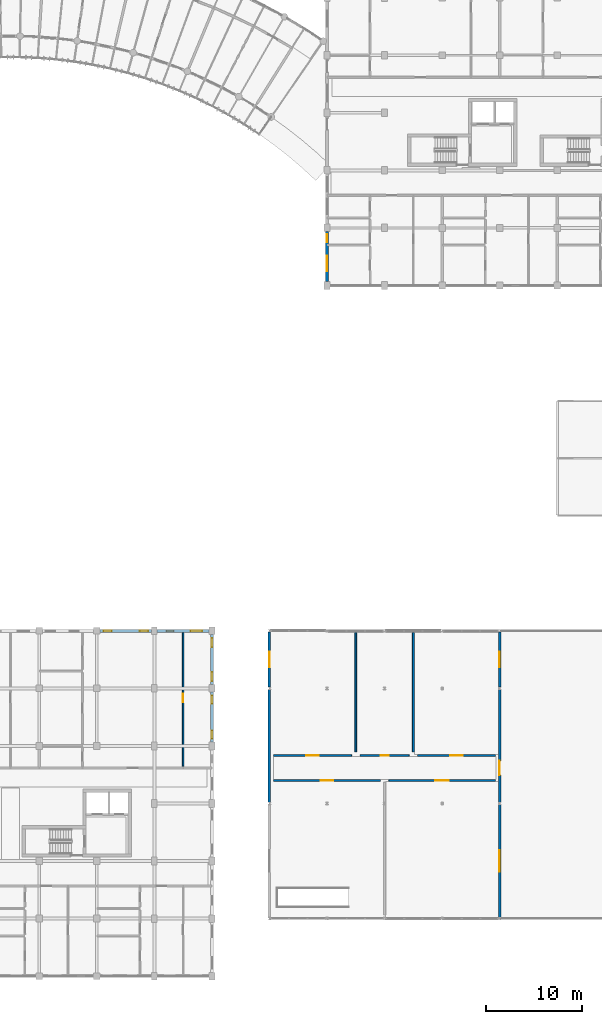
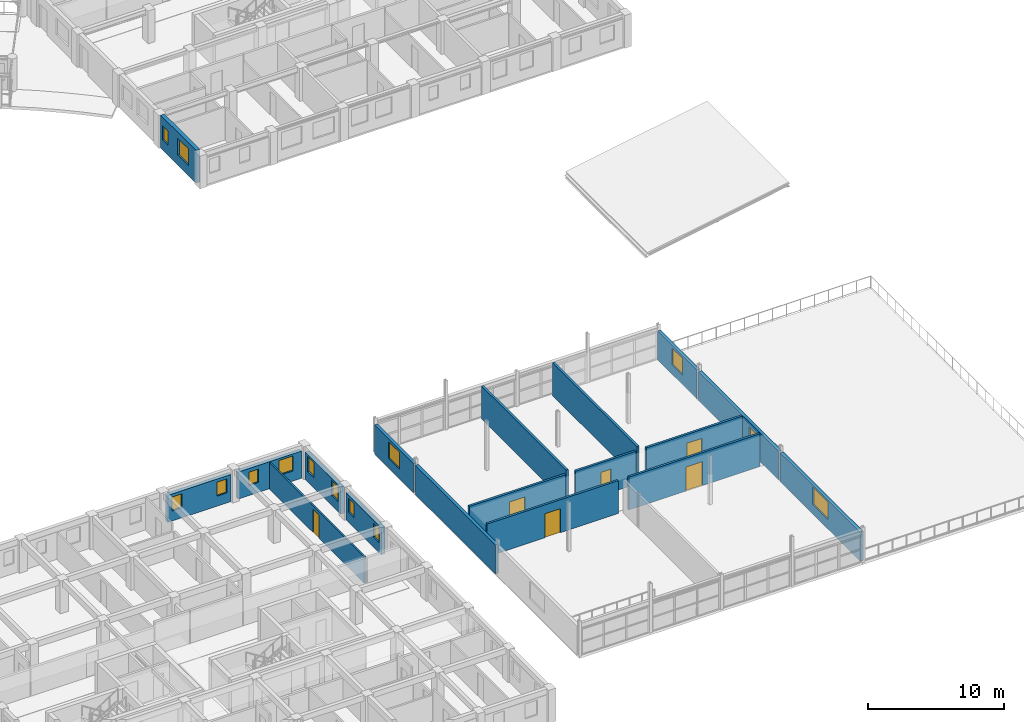
# One storey, part 109 of 137: 18 walls, 13 windows, 7 doors, 20 openings.
"""IFC4 building model written with IfcOpenShell, lengths in metres."""

from ifc_helpers import new_model, si_unit, direction, frame, frame_2d, origin, place, context, subcontext, project, spatial, rectangle, extrude, material, layer, layer_set, type_object, element, fill, save


model = new_model("IFC4")

# Units and contexts
model_context = context("Model", 3, precision=1e-05, world=origin(), true_north=direction((0.0, 1.0)))
body_context = subcontext(model_context, "Body", "Model", "MODEL_VIEW")
ifc_project = project(units=[si_unit("LENGTHUNIT", "METRE"), si_unit("AREAUNIT", "SQUARE_METRE"), si_unit("VOLUMEUNIT", "CUBIC_METRE"), si_unit("PLANEANGLEUNIT", "RADIAN"), si_unit("MASSUNIT", "GRAM", prefix="KILO"), si_unit("POWERUNIT", "WATT"), si_unit("THERMODYNAMICTEMPERATUREUNIT", "KELVIN")], contexts=[model_context])

# Site, building, storey
site_placement = place(None, origin())
site = spatial("IfcSite", under=ifc_project, at=site_placement, CompositionType="ELEMENT")
building_placement = place(site_placement, origin())
building = spatial("IfcBuilding", under=site, at=building_placement, Name="Ruvembo Vaulted Housing Court", CompositionType="ELEMENT")
storey_placement = place(building_placement, frame((0.0, 0.0, 4.5)))
storey = spatial("IfcBuildingStorey", under=building, at=storey_placement, Name="L01", CompositionType="ELEMENT", Elevation=4.5)

# Wall, opening, door
ifc_material_1 = material(Name="Concrete Blockwork 190", Category="masonry")
ifc_layer_1 = layer(ifc_material_1, 0.18994140625, Name="Concrete Blockwork 190")
ifc_layer_set_1 = layer_set([ifc_layer_1], Name="Concrete Blockwork 190")
wall_type_1 = type_object("IfcWallType", Name="WL-CORR-190", PredefinedType="SOLIDWALL", material=ifc_layer_set_1)
wall_1_placement = place(storey_placement, frame((144.43994140625, 20.39990234375, 0.0), z_axis=(0.0, 0.0, 1.0), x_axis=(1.0, 0.0, 0.0)))
wall_1 = element("IfcWall", 1, at=wall_1_placement, inside=storey, type_object=wall_type_1, Name="L01 Resident Coworking Studio West WL-INT-L01-00170", PredefinedType="SOLIDWALL", context=body_context, shape_type="SweptSolid", body=[
    extrude(rectangle(XDim=11.1201171875, YDim=0.18994140625, at=frame_2d((5.56005859375, 0.0))), origin(), (0.0, 0.0, 1.0), 2.945068359375),
])
opening_1_placement = place(wall_1_placement, frame((4.909912109375, 0.0, 0.0)))
opening_1 = element("IfcOpeningElement", 2, at=opening_1_placement, cuts=wall_1, Name="Opening CD2", PredefinedType="OPENING", context=body_context, shape_type="SweptSolid", body=[
    extrude(rectangle(XDim=1.300048828125, YDim=2.14990234375, at=frame_2d((0.64990234375, 1.074951171875))), frame((0.0, 0.10498046875, 0.0), z_axis=(0.0, -1.0, 0.0), x_axis=(1.0, 0.0, 0.0)), (0.0, 0.0, 1.0), 0.2099609375),
])
ifc_material_2 = material(Name="FSC Hardwood and Engineered Timber", Category="wood")
door_type_1 = type_object("IfcDoorType", Name="DR-CIVIC-1300x2150", OperationType="NOTDEFINED", PredefinedType="DOOR", material=ifc_material_2)
door_1_placement = place(opening_1_placement, origin())
door_1 = element("IfcDoor", 3, at=door_1_placement, inside=storey, type_object=door_type_1, Name="L01 Resident Coworking Studio West Door DR-INT-L01-00083", OperationType="SINGLE_SWING_LEFT", OverallHeight=2.14990234375, OverallWidth=1.300048828125, PredefinedType="DOOR", context=body_context, shape_type="SweptSolid", body=[
    extrude(rectangle(XDim=1.300048828125, YDim=2.14990234375, at=frame_2d((0.64990234375, 1.074951171875))), frame((0.0, 0.02490234375, 0.0), z_axis=(0.0, -1.0, 0.0), x_axis=(1.0, 0.0, 0.0)), (0.0, 0.0, 1.0), 0.050048828125),
])
fill(opening_1, door_1)

wall_2_placement = place(storey_placement, frame((156.43994140625, 20.39990234375, 0.0), z_axis=(0.0, 0.0, 1.0), x_axis=(1.0, 0.0, 0.0)))
wall_2 = element("IfcWall", 4, at=wall_2_placement, inside=storey, type_object=wall_type_1, Name="L01 Community Health & Midwifery Clinic WL-INT-L01-00172", PredefinedType="SOLIDWALL", context=body_context, shape_type="SweptSolid", body=[
    extrude(rectangle(XDim=11.1201171875, YDim=0.18994140625, at=frame_2d((5.56005859375, 0.0))), origin(), (0.0, 0.0, 1.0), 2.945068359375),
])
opening_2_placement = place(wall_2_placement, frame((4.860107421875, 0.0, 0.0)))
opening_2 = element("IfcOpeningElement", 5, at=opening_2_placement, cuts=wall_2, Name="Opening CD1", PredefinedType="OPENING", context=body_context, shape_type="SweptSolid", body=[
    extrude(rectangle(XDim=1.39990234375, YDim=2.14990234375, at=frame_2d((0.699951171875, 1.074951171875))), frame((0.0, 0.10498046875, 0.0), z_axis=(0.0, -1.0, 0.0), x_axis=(1.0, 0.0, 0.0)), (0.0, 0.0, 1.0), 0.2099609375),
])
door_type_2 = type_object("IfcDoorType", Name="DR-CIVIC-1400x2150", OperationType="NOTDEFINED", PredefinedType="DOOR", material=ifc_material_2)
door_2_placement = place(opening_2_placement, origin())
door_2 = element("IfcDoor", 6, at=door_2_placement, inside=storey, type_object=door_type_2, Name="L01 Community Health & Midwifery Clinic Door DR-INT-L01-00084", OperationType="SINGLE_SWING_RIGHT", OverallHeight=2.14990234375, OverallWidth=1.39990234375, PredefinedType="DOOR", context=body_context, shape_type="SweptSolid", body=[
    extrude(rectangle(XDim=1.39990234375, YDim=2.14990234375, at=frame_2d((0.699951171875, 1.074951171875))), frame((0.0, 0.02490234375, 0.0), z_axis=(0.0, -1.0, 0.0), x_axis=(1.0, 0.0, 0.0)), (0.0, 0.0, 1.0), 0.050048828125),
])
fill(opening_2, door_2)

wall_3_placement = place(storey_placement, frame((144.43994140625, 23.0, 0.0), z_axis=(0.0, 0.0, 1.0), x_axis=(1.0, 0.0, 0.0)))
wall_3 = element("IfcWall", 7, at=wall_3_placement, inside=storey, type_object=wall_type_1, Name="L01 Sewing & Craft Cooperative WL-INT-L01-00173", PredefinedType="SOLIDWALL", context=body_context, shape_type="SweptSolid", body=[
    extrude(rectangle(XDim=8.1201171875, YDim=0.18994140625, at=frame_2d((4.06005859375, 0.0))), origin(), (0.0, 0.0, 1.0), 2.945068359375),
])
opening_3_placement = place(wall_3_placement, frame((3.409912109375, 0.0, 0.0)))
opening_3 = element("IfcOpeningElement", 8, at=opening_3_placement, cuts=wall_3, Name="Opening CD2", PredefinedType="OPENING", context=body_context, shape_type="SweptSolid", body=[
    extrude(rectangle(XDim=1.300048828125, YDim=2.14990234375, at=frame_2d((0.64990234375, 1.074951171875))), frame((0.0, 0.10498046875, 0.0), z_axis=(0.0, -1.0, 0.0), x_axis=(1.0, 0.0, 0.0)), (0.0, 0.0, 1.0), 0.2099609375),
])
door_3_placement = place(opening_3_placement, origin())
door_3 = element("IfcDoor", 9, at=door_3_placement, inside=storey, type_object=door_type_1, Name="L01 Sewing & Craft Cooperative Door DR-INT-L01-00085", OperationType="SINGLE_SWING_LEFT", OverallHeight=2.14990234375, OverallWidth=1.300048828125, PredefinedType="DOOR", context=body_context, shape_type="SweptSolid", body=[
    extrude(rectangle(XDim=1.300048828125, YDim=2.14990234375, at=frame_2d((0.64990234375, 1.074951171875))), frame((0.0, 0.02490234375, 0.0), z_axis=(0.0, -1.0, 0.0), x_axis=(1.0, 0.0, 0.0)), (0.0, 0.0, 1.0), 0.050048828125),
])
fill(opening_3, door_3)

# Wall
wall_4_placement = place(storey_placement, frame((153.0, 23.389892578125, 0.0), z_axis=(0.0, 0.0, 1.0), x_axis=(0.0, 1.0, 0.0)))
element("IfcWall", 10, at=wall_4_placement, inside=storey, type_object=wall_type_1, Name="L01 Sewing & Craft Cooperative Div WL-INT-L01-00174", PredefinedType="SOLIDWALL", context=body_context, shape_type="SweptSolid", body=[
    extrude(rectangle(XDim=12.420166015625, YDim=0.18994140625, at=frame_2d((6.2099609375, 0.0))), origin(), (0.0, 0.0, 1.0), 2.945068359375),
])

# Wall, opening, door
wall_5_placement = place(storey_placement, frame((153.43994140625, 23.0, 0.0), z_axis=(0.0, 0.0, 1.0), x_axis=(1.0, 0.0, 0.0)))
wall_5 = element("IfcWall", 11, at=wall_5_placement, inside=storey, type_object=wall_type_1, Name="L01 Clinic Accessible WC WL-INT-L01-00175", PredefinedType="SOLIDWALL", context=body_context, shape_type="SweptSolid", body=[
    extrude(rectangle(XDim=5.1201171875, YDim=0.18994140625, at=frame_2d((2.56005859375, 0.0))), origin(), (0.0, 0.0, 1.0), 2.945068359375),
])
opening_4_placement = place(wall_5_placement, frame((2.135009765625, 0.0, 0.0)))
opening_4 = element("IfcOpeningElement", 12, at=opening_4_placement, cuts=wall_5, Name="Opening ID2", PredefinedType="OPENING", context=body_context, shape_type="SweptSolid", body=[
    extrude(rectangle(XDim=0.85009765625, YDim=2.10009765625, at=frame_2d((0.425048828125, 1.050048828125))), frame((0.0, 0.10498046875, 0.0), z_axis=(0.0, -1.0, 0.0), x_axis=(1.0, 0.0, 0.0)), (0.0, 0.0, 1.0), 0.2099609375),
])
door_type_3 = type_object("IfcDoorType", Name="DR-WET-0850x2100", OperationType="NOTDEFINED", PredefinedType="DOOR", material=ifc_material_2)
door_4_placement = place(opening_4_placement, origin())
door_4 = element("IfcDoor", 13, at=door_4_placement, inside=storey, type_object=door_type_3, Name="L01 Clinic Accessible WC Door DR-INT-L01-00086", OperationType="SINGLE_SWING_RIGHT", OverallHeight=2.10009765625, OverallWidth=0.85009765625, PredefinedType="DOOR", context=body_context, shape_type="SweptSolid", body=[
    extrude(rectangle(XDim=0.85009765625, YDim=2.10009765625, at=frame_2d((0.425048828125, 1.050048828125))), frame((0.0, 0.02490234375, 0.0), z_axis=(0.0, -1.0, 0.0), x_axis=(1.0, 0.0, 0.0)), (0.0, 0.0, 1.0), 0.050048828125),
])
fill(opening_4, door_4)

# Wall
wall_6_placement = place(storey_placement, frame((159.0, 23.389892578125, 0.0), z_axis=(0.0, 0.0, 1.0), x_axis=(0.0, 1.0, 0.0)))
element("IfcWall", 14, at=wall_6_placement, inside=storey, type_object=wall_type_1, Name="L01 Clinic Accessible WC Div WL-INT-L01-00176", PredefinedType="SOLIDWALL", context=body_context, shape_type="SweptSolid", body=[
    extrude(rectangle(XDim=12.420166015625, YDim=0.18994140625, at=frame_2d((6.2099609375, 0.0))), origin(), (0.0, 0.0, 1.0), 2.945068359375),
])

# Wall, opening, door
wall_7_placement = place(storey_placement, frame((159.43994140625, 23.0, 0.0), z_axis=(0.0, 0.0, 1.0), x_axis=(1.0, 0.0, 0.0)))
wall_7 = element("IfcWall", 15, at=wall_7_placement, inside=storey, type_object=wall_type_1, Name="L01 Youth Tutoring & Cafe Lounge WL-INT-L01-00177", PredefinedType="SOLIDWALL", context=body_context, shape_type="SweptSolid", body=[
    extrude(rectangle(XDim=8.1201171875, YDim=0.18994140625, at=frame_2d((4.06005859375, 0.0))), origin(), (0.0, 0.0, 1.0), 2.945068359375),
])
opening_5_placement = place(wall_7_placement, frame((3.409912109375, 0.0, 0.0)))
opening_5 = element("IfcOpeningElement", 16, at=opening_5_placement, cuts=wall_7, Name="Opening CD2", PredefinedType="OPENING", context=body_context, shape_type="SweptSolid", body=[
    extrude(rectangle(XDim=1.300048828125, YDim=2.14990234375, at=frame_2d((0.64990234375, 1.074951171875))), frame((0.0, 0.10498046875, 0.0), z_axis=(0.0, -1.0, 0.0), x_axis=(1.0, 0.0, 0.0)), (0.0, 0.0, 1.0), 0.2099609375),
])
door_5_placement = place(opening_5_placement, origin())
door_5 = element("IfcDoor", 17, at=door_5_placement, inside=storey, type_object=door_type_1, Name="L01 Youth Tutoring & Cafe Lounge Door DR-INT-L01-00087", OperationType="SINGLE_SWING_LEFT", OverallHeight=2.14990234375, OverallWidth=1.300048828125, PredefinedType="DOOR", context=body_context, shape_type="SweptSolid", body=[
    extrude(rectangle(XDim=1.300048828125, YDim=2.14990234375, at=frame_2d((0.64990234375, 1.074951171875))), frame((0.0, 0.02490234375, 0.0), z_axis=(0.0, -1.0, 0.0), x_axis=(1.0, 0.0, 0.0)), (0.0, 0.0, 1.0), 0.050048828125),
])
fill(opening_5, door_5)

# Wall, opening, window
ifc_material_3 = material(Name="Rendered Masonry 260", Category="masonry")
ifc_layer_2 = layer(ifc_material_3, 0.260009765625, Name="Rendered Masonry 260")
ifc_layer_set_2 = layer_set([ifc_layer_2], Name="Rendered Masonry 260")
wall_type_2 = type_object("IfcWallType", Name="WL-EXT-260", PredefinedType="STANDARD", material=ifc_layer_set_2)
wall_8_placement = place(storey_placement, frame((168.0, 6.1201171875, 0.0), z_axis=(0.0, 0.0, 1.0), x_axis=(0.0, 1.0, 0.0)))
wall_8 = element("IfcWall", 18, at=wall_8_placement, inside=storey, type_object=wall_type_2, Name="Shops E Facade Wall L01 Bay 1", PredefinedType="STANDARD", context=body_context, shape_type="SweptSolid", body=[
    extrude(rectangle(XDim=11.759765625, YDim=0.260009765625, at=frame_2d((5.8798828125, 0.0))), origin(), (0.0, 0.0, 1.0), 2.60009765625),
])
opening_6_placement = place(wall_8_placement, frame((4.7548828125, 0.0, 0.85009765625)))
opening_6 = element("IfcOpeningElement", 19, at=opening_6_placement, cuts=wall_8, Name="Opening W27", PredefinedType="OPENING", context=body_context, shape_type="SweptSolid", body=[
    extrude(rectangle(XDim=2.25, YDim=1.580078125, at=frame_2d((1.125, 0.7900390625))), frame((0.0, 0.139892578125, 0.0), z_axis=(0.0, -1.0, 0.0), x_axis=(1.0, 0.0, 0.0)), (0.0, 0.0, 1.0), 0.280029296875),
])
ifc_material_4 = material(Name="Double Solar-Control Glazing in Aluminium Frame", Category="aluminium")
window_type_1 = type_object("IfcWindowType", Name="WIN-2250x1600", PartitioningType="SINGLE_PANEL", PredefinedType="WINDOW", material=ifc_material_4)
window_1_placement = place(opening_6_placement, origin())
window_1 = element("IfcWindow", 20, at=window_1_placement, inside=storey, type_object=window_type_1, Name="Shops E Window L01 #1", OverallHeight=1.580078125, OverallWidth=2.25, PartitioningType="SINGLE_PANEL", PredefinedType="WINDOW", context=body_context, shape_type="SweptSolid", body=[
    extrude(rectangle(XDim=2.25, YDim=1.580078125, at=frame_2d((1.125, 0.7900390625))), frame((0.0, 0.030029296875, 0.0), z_axis=(0.0, -1.0, 0.0), x_axis=(1.0, 0.0, 0.0)), (0.0, 0.0, 1.0), 0.06005859375),
])
fill(opening_6, window_1)

# Wall
wall_9_placement = place(storey_placement, frame((144.0, 29.8798828125, 0.0), z_axis=(0.0, 0.0, 1.0), x_axis=(0.0, -1.0, 0.0)))
element("IfcWall", 21, at=wall_9_placement, inside=storey, type_object=wall_type_2, Name="Shops W Facade Wall L01 Bay 2", PredefinedType="STANDARD", context=body_context, shape_type="SweptSolid", body=[
    extrude(rectangle(XDim=11.759765625, YDim=0.260009765625, at=frame_2d((5.8798828125, 0.0))), origin(), (0.0, 0.0, 1.0), 2.60009765625),
])

# Wall, opening, door
wall_10_placement = place(storey_placement, frame((168.0, 18.1201171875, 0.0), z_axis=(0.0, 0.0, 1.0), x_axis=(0.0, 1.0, 0.0)))
wall_10 = element("IfcWall", 22, at=wall_10_placement, inside=storey, type_object=wall_type_2, Name="Shops E Facade Wall L01 Bay 2", PredefinedType="STANDARD", context=body_context, shape_type="SweptSolid", body=[
    extrude(rectangle(XDim=11.759765625, YDim=0.260009765625, at=frame_2d((5.8798828125, 0.0))), origin(), (0.0, 0.0, 1.0), 2.60009765625),
])
opening_7_placement = place(wall_10_placement, frame((2.830078125, 0.0, 0.0)))
opening_7 = element("IfcOpeningElement", 23, at=opening_7_placement, cuts=wall_10, Name="Opening TD1", PredefinedType="OPENING", context=body_context, shape_type="SweptSolid", body=[
    extrude(rectangle(XDim=1.5, YDim=2.14990234375, at=frame_2d((0.75, 1.074951171875))), frame((0.0, 0.139892578125, 0.0), z_axis=(0.0, -1.0, 0.0), x_axis=(1.0, 0.0, 0.0)), (0.0, 0.0, 1.0), 0.280029296875),
])
ifc_material_5 = material(Name="Thermally Broken Glazed Aluminium", Category="aluminium")
door_type_4 = type_object("IfcDoorType", Name="DR-TER-1500x2150", OperationType="NOTDEFINED", PredefinedType="DOOR", material=ifc_material_5)
door_6_placement = place(opening_7_placement, frame((1.5, 0.0, 0.0), z_axis=(0.0, 0.0, 1.0), x_axis=(-1.0, 0.0, 0.0)))
door_6 = element("IfcDoor", 24, at=door_6_placement, inside=storey, type_object=door_type_4, Name="Shops L01 Roof Garden Access Door", OperationType="SINGLE_SWING_LEFT", OverallHeight=2.14990234375, OverallWidth=1.5, PredefinedType="DOOR", context=body_context, shape_type="SweptSolid", body=[
    extrude(rectangle(XDim=1.5, YDim=2.14990234375, at=frame_2d((0.75, 1.074951171875))), frame((0.0, 0.02490234375, 0.0), z_axis=(0.0, -1.0, 0.0), x_axis=(1.0, 0.0, 0.0)), (0.0, 0.0, 1.0), 0.050048828125),
])
fill(opening_7, door_6)

# Wall, opening, window
wall_11_placement = place(storey_placement, frame((144.0, 35.8798828125, 0.0), z_axis=(0.0, 0.0, 1.0), x_axis=(0.0, -1.0, 0.0)))
wall_11 = element("IfcWall", 25, at=wall_11_placement, inside=storey, type_object=wall_type_2, Name="Shops W Facade Wall L01 Bay 3", PredefinedType="STANDARD", context=body_context, shape_type="SweptSolid", body=[
    extrude(rectangle(XDim=5.759765625, YDim=0.260009765625, at=frame_2d((2.8798828125, 0.0))), origin(), (0.0, 0.0, 1.0), 2.60009765625),
])
opening_8_placement = place(wall_11_placement, frame((2.080078125, 0.0, 0.85009765625)))
opening_8 = element("IfcOpeningElement", 26, at=opening_8_placement, cuts=wall_11, Name="Opening W20", PredefinedType="OPENING", context=body_context, shape_type="SweptSolid", body=[
    extrude(rectangle(XDim=1.60009765625, YDim=1.5, at=frame_2d((0.800048828125, 0.75))), frame((0.0, 0.139892578125, 0.0), z_axis=(0.0, -1.0, 0.0), x_axis=(1.0, 0.0, 0.0)), (0.0, 0.0, 1.0), 0.280029296875),
])
window_type_2 = type_object("IfcWindowType", Name="WIN-1600x1500", PartitioningType="SINGLE_PANEL", PredefinedType="WINDOW", material=ifc_material_4)
window_2_placement = place(opening_8_placement, origin())
window_2 = element("IfcWindow", 27, at=window_2_placement, inside=storey, type_object=window_type_2, Name="Shops W Window L01 #3", OverallHeight=1.5, OverallWidth=1.60009765625, PartitioningType="SINGLE_PANEL", PredefinedType="WINDOW", context=body_context, shape_type="SweptSolid", body=[
    extrude(rectangle(XDim=1.60009765625, YDim=1.5, at=frame_2d((0.800048828125, 0.75))), frame((0.0, 0.030029296875, 0.0), z_axis=(0.0, -1.0, 0.0), x_axis=(1.0, 0.0, 0.0)), (0.0, 0.0, 1.0), 0.06005859375),
])
fill(opening_8, window_2)

wall_12_placement = place(storey_placement, frame((168.0, 30.1201171875, 0.0), z_axis=(0.0, 0.0, 1.0), x_axis=(0.0, 1.0, 0.0)))
wall_12 = element("IfcWall", 28, at=wall_12_placement, inside=storey, type_object=wall_type_2, Name="Shops E Facade Wall L01 Bay 3", PredefinedType="STANDARD", context=body_context, shape_type="SweptSolid", body=[
    extrude(rectangle(XDim=5.759765625, YDim=0.260009765625, at=frame_2d((2.8798828125, 0.0))), origin(), (0.0, 0.0, 1.0), 2.60009765625),
])
opening_9_placement = place(wall_12_placement, frame((2.080078125, 0.0, 0.85009765625)))
opening_9 = element("IfcOpeningElement", 29, at=opening_9_placement, cuts=wall_12, Name="Opening W20", PredefinedType="OPENING", context=body_context, shape_type="SweptSolid", body=[
    extrude(rectangle(XDim=1.60009765625, YDim=1.5, at=frame_2d((0.800048828125, 0.75))), frame((0.0, 0.139892578125, 0.0), z_axis=(0.0, -1.0, 0.0), x_axis=(1.0, 0.0, 0.0)), (0.0, 0.0, 1.0), 0.280029296875),
])
window_3_placement = place(opening_9_placement, origin())
window_3 = element("IfcWindow", 30, at=window_3_placement, inside=storey, type_object=window_type_2, Name="Shops E Window L01 #3", OverallHeight=1.5, OverallWidth=1.60009765625, PartitioningType="SINGLE_PANEL", PredefinedType="WINDOW", context=body_context, shape_type="SweptSolid", body=[
    extrude(rectangle(XDim=1.60009765625, YDim=1.5, at=frame_2d((0.800048828125, 0.75))), frame((0.0, 0.030029296875, 0.0), z_axis=(0.0, -1.0, 0.0), x_axis=(1.0, 0.0, 0.0)), (0.0, 0.0, 1.0), 0.06005859375),
])
fill(opening_9, window_3)

# Wall, openings, windows
ifc_material_6 = material(Name="Rendered Masonry 320", Category="masonry")
ifc_layer_3 = layer(ifc_material_6, 0.320068359375, Name="Rendered Masonry 320")
ifc_layer_set_3 = layer_set([ifc_layer_3], Name="Rendered Masonry 320")
wall_type_3 = type_object("IfcWallType", Name="WL-EXT-320", PredefinedType="STANDARD", material=ifc_layer_set_3)
wall_13_placement = place(storey_placement, frame((138.0, 24.39990234375, 0.0), z_axis=(0.0, 0.0, 1.0), x_axis=(0.0, 1.0, 0.0)))
wall_13 = element("IfcWall", 31, at=wall_13_placement, inside=storey, type_object=wall_type_3, Name="Block C L01 Exterior Wall EAST #5", PredefinedType="STANDARD", context=body_context, shape_type="SweptSolid", body=[
    extrude(rectangle(XDim=5.2001953125, YDim=0.320068359375, at=frame_2d((2.60009765625, 0.0))), origin(), (0.0, 0.0, 1.0), 2.427001953125),
])
opening_10_placement = place(wall_13_placement, frame((0.35009765625, 0.0, 0.89990234375)))
opening_10 = element("IfcOpeningElement", 32, at=opening_10_placement, cuts=wall_13, Name="Opening W03", PredefinedType="OPENING", context=body_context, shape_type="SweptSolid", body=[
    extrude(rectangle(XDim=0.85009765625, YDim=1.25, at=frame_2d((0.425048828125, 0.625))), frame((0.0, 0.169921875, 0.0), z_axis=(0.0, -1.0, 0.0), x_axis=(1.0, 0.0, 0.0)), (0.0, 0.0, 1.0), 0.340087890625),
])
opening_11_placement = place(wall_13_placement, frame((4.0, 0.0, 0.89990234375)))
opening_11 = element("IfcOpeningElement", 33, at=opening_11_placement, cuts=wall_13, Name="Opening W03", PredefinedType="OPENING", context=body_context, shape_type="SweptSolid", body=[
    extrude(rectangle(XDim=0.85009765625, YDim=1.25, at=frame_2d((0.425048828125, 0.625))), frame((0.0, 0.169921875, 0.0), z_axis=(0.0, -1.0, 0.0), x_axis=(1.0, 0.0, 0.0)), (0.0, 0.0, 1.0), 0.340087890625),
])
window_type_3 = type_object("IfcWindowType", Name="WIN-0850x1250", PartitioningType="SINGLE_PANEL", PredefinedType="WINDOW", material=ifc_material_4)
window_4_placement = place(opening_10_placement, origin())
window_4 = element("IfcWindow", 34, at=window_4_placement, inside=storey, type_object=window_type_3, Name="Block C L01 Window #1129", OverallHeight=1.25, OverallWidth=0.85009765625, PartitioningType="SINGLE_PANEL", PredefinedType="WINDOW", context=body_context, shape_type="SweptSolid", body=[
    extrude(rectangle(XDim=0.85009765625, YDim=1.25, at=frame_2d((0.425048828125, 0.625))), frame((0.0, 0.030029296875, 0.0), z_axis=(0.0, -1.0, 0.0), x_axis=(1.0, 0.0, 0.0)), (0.0, 0.0, 1.0), 0.06005859375),
])
fill(opening_10, window_4)
window_5_placement = place(opening_11_placement, origin())
window_5 = element("IfcWindow", 35, at=window_5_placement, inside=storey, type_object=window_type_3, Name="Block C L01 Window #1130", OverallHeight=1.25, OverallWidth=0.85009765625, PartitioningType="SINGLE_PANEL", PredefinedType="WINDOW", context=body_context, shape_type="SweptSolid", body=[
    extrude(rectangle(XDim=0.85009765625, YDim=1.25, at=frame_2d((0.425048828125, 0.625))), frame((0.0, 0.030029296875, 0.0), z_axis=(0.0, -1.0, 0.0), x_axis=(1.0, 0.0, 0.0)), (0.0, 0.0, 1.0), 0.06005859375),
])
fill(opening_11, window_5)

wall_14_placement = place(storey_placement, frame((138.0, 30.39990234375, 0.0), z_axis=(0.0, 0.0, 1.0), x_axis=(0.0, 1.0, 0.0)))
wall_14 = element("IfcWall", 36, at=wall_14_placement, inside=storey, type_object=wall_type_3, Name="Block C L01 Exterior Wall EAST #6", PredefinedType="STANDARD", context=body_context, shape_type="SweptSolid", body=[
    extrude(rectangle(XDim=5.2001953125, YDim=0.320068359375, at=frame_2d((2.60009765625, 0.0))), origin(), (0.0, 0.0, 1.0), 2.427001953125),
])
opening_12_placement = place(wall_14_placement, frame((0.35009765625, 0.0, 0.89990234375)))
opening_12 = element("IfcOpeningElement", 37, at=opening_12_placement, cuts=wall_14, Name="Opening W07", PredefinedType="OPENING", context=body_context, shape_type="SweptSolid", body=[
    extrude(rectangle(XDim=0.949951171875, YDim=1.35009765625, at=frame_2d((0.47509765625, 0.675048828125))), frame((0.0, 0.169921875, 0.0), z_axis=(0.0, -1.0, 0.0), x_axis=(1.0, 0.0, 0.0)), (0.0, 0.0, 1.0), 0.340087890625),
])
opening_13_placement = place(wall_14_placement, frame((3.89990234375, 0.0, 0.89990234375)))
opening_13 = element("IfcOpeningElement", 38, at=opening_13_placement, cuts=wall_14, Name="Opening W07", PredefinedType="OPENING", context=body_context, shape_type="SweptSolid", body=[
    extrude(rectangle(XDim=0.949951171875, YDim=1.35009765625, at=frame_2d((0.47509765625, 0.675048828125))), frame((0.0, 0.169921875, 0.0), z_axis=(0.0, -1.0, 0.0), x_axis=(1.0, 0.0, 0.0)), (0.0, 0.0, 1.0), 0.340087890625),
])
window_type_4 = type_object("IfcWindowType", Name="WIN-0950x1350", PartitioningType="SINGLE_PANEL", PredefinedType="WINDOW", material=ifc_material_4)
window_6_placement = place(opening_12_placement, origin())
window_6 = element("IfcWindow", 39, at=window_6_placement, inside=storey, type_object=window_type_4, Name="Block C L01 Window #1131", OverallHeight=1.35009765625, OverallWidth=0.949951171875, PartitioningType="SINGLE_PANEL", PredefinedType="WINDOW", context=body_context, shape_type="SweptSolid", body=[
    extrude(rectangle(XDim=0.949951171875, YDim=1.35009765625, at=frame_2d((0.47509765625, 0.675048828125))), frame((0.0, 0.030029296875, 0.0), z_axis=(0.0, -1.0, 0.0), x_axis=(1.0, 0.0, 0.0)), (0.0, 0.0, 1.0), 0.06005859375),
])
fill(opening_12, window_6)
window_7_placement = place(opening_13_placement, origin())
window_7 = element("IfcWindow", 40, at=window_7_placement, inside=storey, type_object=window_type_4, Name="Block C L01 Window #1132", OverallHeight=1.35009765625, OverallWidth=0.949951171875, PartitioningType="SINGLE_PANEL", PredefinedType="WINDOW", context=body_context, shape_type="SweptSolid", body=[
    extrude(rectangle(XDim=0.949951171875, YDim=1.35009765625, at=frame_2d((0.47509765625, 0.675048828125))), frame((0.0, 0.030029296875, 0.0), z_axis=(0.0, -1.0, 0.0), x_axis=(1.0, 0.0, 0.0)), (0.0, 0.0, 1.0), 0.06005859375),
])
fill(opening_13, window_7)

wall_15_placement = place(storey_placement, frame((137.699951171875, 36.0, 0.0), z_axis=(0.0, 0.0, 1.0), x_axis=(-1.0, 0.0, 0.0)))
wall_15 = element("IfcWall", 41, at=wall_15_placement, inside=storey, type_object=wall_type_3, Name="Block C L01 Exterior Wall COURTYARD #1", PredefinedType="STANDARD", context=body_context, shape_type="SweptSolid", body=[
    extrude(rectangle(XDim=5.39990234375, YDim=0.320068359375, at=frame_2d((2.699951171875, 0.0))), origin(), (0.0, 0.0, 1.0), 2.427001953125),
])
opening_14_placement = place(wall_15_placement, frame((0.72998046875, 0.0, 0.89990234375)))
opening_14 = element("IfcOpeningElement", 42, at=opening_14_placement, cuts=wall_15, Name="Opening W12", PredefinedType="OPENING", context=body_context, shape_type="SweptSolid", body=[
    extrude(rectangle(XDim=1.199951171875, YDim=1.35009765625, at=frame_2d((0.60009765625, 0.675048828125))), frame((0.0, 0.169921875, 0.0), z_axis=(0.0, -1.0, 0.0), x_axis=(1.0, 0.0, 0.0)), (0.0, 0.0, 1.0), 0.340087890625),
])
opening_15_placement = place(wall_15_placement, frame((3.669921875, 0.0, 0.89990234375)))
opening_15 = element("IfcOpeningElement", 43, at=opening_15_placement, cuts=wall_15, Name="Opening W02", PredefinedType="OPENING", context=body_context, shape_type="SweptSolid", body=[
    extrude(rectangle(XDim=0.800048828125, YDim=1.199951171875, at=frame_2d((0.39990234375, 0.60009765625))), frame((0.0, 0.169921875, 0.0), z_axis=(0.0, -1.0, 0.0), x_axis=(1.0, 0.0, 0.0)), (0.0, 0.0, 1.0), 0.340087890625),
])
window_type_5 = type_object("IfcWindowType", Name="WIN-0800x1200", PartitioningType="SINGLE_PANEL", PredefinedType="WINDOW", material=ifc_material_4)
window_8_placement = place(opening_15_placement, origin())
window_8 = element("IfcWindow", 44, at=window_8_placement, inside=storey, type_object=window_type_5, Name="Block C L01 Window #1134", OverallHeight=1.199951171875, OverallWidth=0.800048828125, PartitioningType="SINGLE_PANEL", PredefinedType="WINDOW", context=body_context, shape_type="SweptSolid", body=[
    extrude(rectangle(XDim=0.800048828125, YDim=1.199951171875, at=frame_2d((0.39990234375, 0.60009765625))), frame((0.0, 0.030029296875, 0.0), z_axis=(0.0, -1.0, 0.0), x_axis=(1.0, 0.0, 0.0)), (0.0, 0.0, 1.0), 0.06005859375),
])
fill(opening_15, window_8)
window_type_6 = type_object("IfcWindowType", Name="WIN-1200x1350", PartitioningType="SINGLE_PANEL", PredefinedType="WINDOW", material=ifc_material_4)
window_9_placement = place(opening_14_placement, origin())
window_9 = element("IfcWindow", 45, at=window_9_placement, inside=storey, type_object=window_type_6, Name="Block C L01 Window #1133", OverallHeight=1.35009765625, OverallWidth=1.199951171875, PartitioningType="SINGLE_PANEL", PredefinedType="WINDOW", context=body_context, shape_type="SweptSolid", body=[
    extrude(rectangle(XDim=1.199951171875, YDim=1.35009765625, at=frame_2d((0.60009765625, 0.675048828125))), frame((0.0, 0.030029296875, 0.0), z_axis=(0.0, -1.0, 0.0), x_axis=(1.0, 0.0, 0.0)), (0.0, 0.0, 1.0), 0.06005859375),
])
fill(opening_14, window_9)

wall_16_placement = place(storey_placement, frame((131.699951171875, 36.0, 0.0), z_axis=(0.0, 0.0, 1.0), x_axis=(-1.0, 0.0, 0.0)))
wall_16 = element("IfcWall", 46, at=wall_16_placement, inside=storey, type_object=wall_type_3, Name="Block C L01 Exterior Wall COURTYARD #2", PredefinedType="STANDARD", context=body_context, shape_type="SweptSolid", body=[
    extrude(rectangle(XDim=5.349853515625, YDim=0.320068359375, at=frame_2d((2.6748046875, 0.0))), origin(), (0.0, 0.0, 1.0), 2.427001953125),
])
opening_16_placement = place(wall_16_placement, frame((0.35009765625, 0.0, 0.89990234375)))
opening_16 = element("IfcOpeningElement", 47, at=opening_16_placement, cuts=wall_16, Name="Opening W03", PredefinedType="OPENING", context=body_context, shape_type="SweptSolid", body=[
    extrude(rectangle(XDim=0.85009765625, YDim=1.25, at=frame_2d((0.425048828125, 0.625))), frame((0.0, 0.169921875, 0.0), z_axis=(0.0, -1.0, 0.0), x_axis=(1.0, 0.0, 0.0)), (0.0, 0.0, 1.0), 0.340087890625),
])
opening_17_placement = place(wall_16_placement, frame((4.14990234375, 0.0, 0.89990234375)))
opening_17 = element("IfcOpeningElement", 48, at=opening_17_placement, cuts=wall_16, Name="Opening W03", PredefinedType="OPENING", context=body_context, shape_type="SweptSolid", body=[
    extrude(rectangle(XDim=0.85009765625, YDim=1.25, at=frame_2d((0.425048828125, 0.625))), frame((0.0, 0.169921875, 0.0), z_axis=(0.0, -1.0, 0.0), x_axis=(1.0, 0.0, 0.0)), (0.0, 0.0, 1.0), 0.340087890625),
])
window_10_placement = place(opening_16_placement, origin())
window_10 = element("IfcWindow", 49, at=window_10_placement, inside=storey, type_object=window_type_3, Name="Block C L01 Window #1135", OverallHeight=1.25, OverallWidth=0.85009765625, PartitioningType="SINGLE_PANEL", PredefinedType="WINDOW", context=body_context, shape_type="SweptSolid", body=[
    extrude(rectangle(XDim=0.85009765625, YDim=1.25, at=frame_2d((0.425048828125, 0.625))), frame((0.0, 0.030029296875, 0.0), z_axis=(0.0, -1.0, 0.0), x_axis=(1.0, 0.0, 0.0)), (0.0, 0.0, 1.0), 0.06005859375),
])
fill(opening_16, window_10)
window_11_placement = place(opening_17_placement, origin())
window_11 = element("IfcWindow", 50, at=window_11_placement, inside=storey, type_object=window_type_3, Name="Block C L01 Window #1136", OverallHeight=1.25, OverallWidth=0.85009765625, PartitioningType="SINGLE_PANEL", PredefinedType="WINDOW", context=body_context, shape_type="SweptSolid", body=[
    extrude(rectangle(XDim=0.85009765625, YDim=1.25, at=frame_2d((0.425048828125, 0.625))), frame((0.0, 0.030029296875, 0.0), z_axis=(0.0, -1.0, 0.0), x_axis=(1.0, 0.0, 0.0)), (0.0, 0.0, 1.0), 0.06005859375),
])
fill(opening_17, window_11)

wall_17_placement = place(storey_placement, frame((150.0, 77.60009765625, 0.0), z_axis=(0.0, 0.0, 1.0), x_axis=(0.0, -1.0, 0.0)))
wall_17 = element("IfcWall", 51, at=wall_17_placement, inside=storey, type_object=wall_type_3, Name="Block D L01 Exterior Wall WEST #6", PredefinedType="STANDARD", context=body_context, shape_type="SweptSolid", body=[
    extrude(rectangle(XDim=5.2001953125, YDim=0.320068359375, at=frame_2d((2.60009765625, 0.0))), origin(), (0.0, 0.0, 1.0), 2.945068359375),
])
opening_18_placement = place(wall_17_placement, frame((0.2548828125, 0.0, 0.89990234375)))
opening_18 = element("IfcOpeningElement", 52, at=opening_18_placement, cuts=wall_17, Name="Opening W03", PredefinedType="OPENING", context=body_context, shape_type="SweptSolid", body=[
    extrude(rectangle(XDim=0.85009765625, YDim=1.25, at=frame_2d((0.425048828125, 0.625))), frame((0.0, 0.169921875, 0.0), z_axis=(0.0, -1.0, 0.0), x_axis=(1.0, 0.0, 0.0)), (0.0, 0.0, 1.0), 0.340087890625),
])
opening_19_placement = place(wall_17_placement, frame((2.52001953125, 0.0, 0.89990234375)))
opening_19 = element("IfcOpeningElement", 53, at=opening_19_placement, cuts=wall_17, Name="Opening W20", PredefinedType="OPENING", context=body_context, shape_type="SweptSolid", body=[
    extrude(rectangle(XDim=1.60009765625, YDim=1.5, at=frame_2d((0.800048828125, 0.75))), frame((0.0, 0.169921875, 0.0), z_axis=(0.0, -1.0, 0.0), x_axis=(1.0, 0.0, 0.0)), (0.0, 0.0, 1.0), 0.340087890625),
])
window_12_placement = place(opening_18_placement, origin())
window_12 = element("IfcWindow", 54, at=window_12_placement, inside=storey, type_object=window_type_3, Name="Block D L01 Window #1529", OverallHeight=1.25, OverallWidth=0.85009765625, PartitioningType="SINGLE_PANEL", PredefinedType="WINDOW", context=body_context, shape_type="SweptSolid", body=[
    extrude(rectangle(XDim=0.85009765625, YDim=1.25, at=frame_2d((0.425048828125, 0.625))), frame((0.0, 0.030029296875, 0.0), z_axis=(0.0, -1.0, 0.0), x_axis=(1.0, 0.0, 0.0)), (0.0, 0.0, 1.0), 0.06005859375),
])
fill(opening_18, window_12)
window_13_placement = place(opening_19_placement, origin())
window_13 = element("IfcWindow", 55, at=window_13_placement, inside=storey, type_object=window_type_2, Name="Block D L01 Window #1530", OverallHeight=1.5, OverallWidth=1.60009765625, PartitioningType="SINGLE_PANEL", PredefinedType="WINDOW", context=body_context, shape_type="SweptSolid", body=[
    extrude(rectangle(XDim=1.60009765625, YDim=1.5, at=frame_2d((0.800048828125, 0.75))), frame((0.0, 0.030029296875, 0.0), z_axis=(0.0, -1.0, 0.0), x_axis=(1.0, 0.0, 0.0)), (0.0, 0.0, 1.0), 0.06005859375),
])
fill(opening_19, window_13)

# Wall, opening, door
ifc_material_7 = material(Name="Acoustic Stud Partition 135", Category="gypsum")
ifc_layer_4 = layer(ifc_material_7, 0.135009765625, Name="Acoustic Stud Partition 135")
ifc_layer_set_4 = layer_set([ifc_layer_4], Name="Acoustic Stud Partition 135")
wall_type_4 = type_object("IfcWallType", Name="WL-PART-135", PredefinedType="PARTITIONING", material=ifc_layer_set_4)
wall_18_placement = place(storey_placement, frame((135.0, 21.889892578125, 0.0), z_axis=(0.0, 0.0, 1.0), x_axis=(0.0, 1.0, 0.0)))
wall_18 = element("IfcWall", 56, at=wall_18_placement, inside=storey, type_object=wall_type_4, Name="L01 Flat C-L01-N2 Bedroom 2 WL-INT-L01-00321", PredefinedType="PARTITIONING", context=body_context, shape_type="SweptSolid", body=[
    extrude(rectangle(XDim=13.920166015625, YDim=0.135009765625, at=frame_2d((6.9599609375, 0.0))), origin(), (0.0, 0.0, 1.0), 2.376953125),
])
opening_20_placement = place(wall_18_placement, frame((6.64990234375, 0.0, 0.0)))
opening_20 = element("IfcOpeningElement", 57, at=opening_20_placement, cuts=wall_18, Name="Opening ID1", PredefinedType="OPENING", context=body_context, shape_type="SweptSolid", body=[
    extrude(rectangle(XDim=0.89990234375, YDim=2.10009765625, at=frame_2d((0.449951171875, 1.050048828125))), frame((0.0, 0.077392578125, 0.0), z_axis=(0.0, -1.0, 0.0), x_axis=(1.0, 0.0, 0.0)), (0.0, 0.0, 1.0), 0.155029296875),
])
door_type_5 = type_object("IfcDoorType", Name="DR-ROOM-0900x2100", OperationType="NOTDEFINED", PredefinedType="DOOR", material=ifc_material_2)
door_7_placement = place(opening_20_placement, origin())
door_7 = element("IfcDoor", 58, at=door_7_placement, inside=storey, type_object=door_type_5, Name="L01 Flat C-L01-N2 Bedroom 2 Door DR-INT-L01-00162", OperationType="SINGLE_SWING_RIGHT", OverallHeight=2.10009765625, OverallWidth=0.89990234375, PredefinedType="DOOR", context=body_context, shape_type="SweptSolid", body=[
    extrude(rectangle(XDim=0.89990234375, YDim=2.10009765625, at=frame_2d((0.449951171875, 1.050048828125))), frame((0.0, 0.02490234375, 0.0), z_axis=(0.0, -1.0, 0.0), x_axis=(1.0, 0.0, 0.0)), (0.0, 0.0, 1.0), 0.050048828125),
])
fill(opening_20, door_7)

save(model, "model.ifc")
